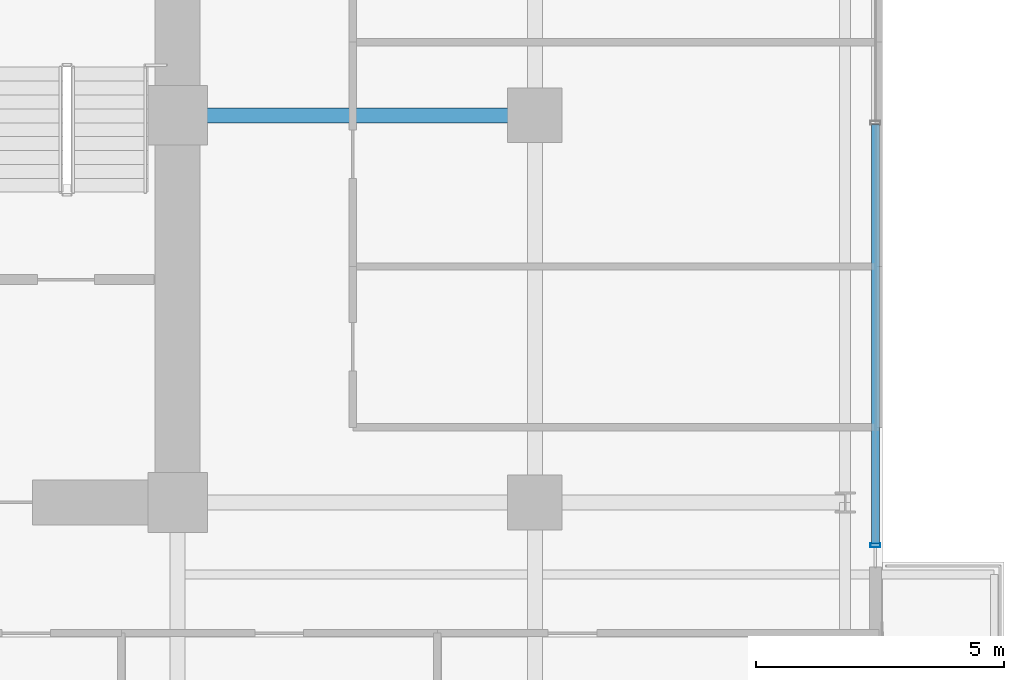
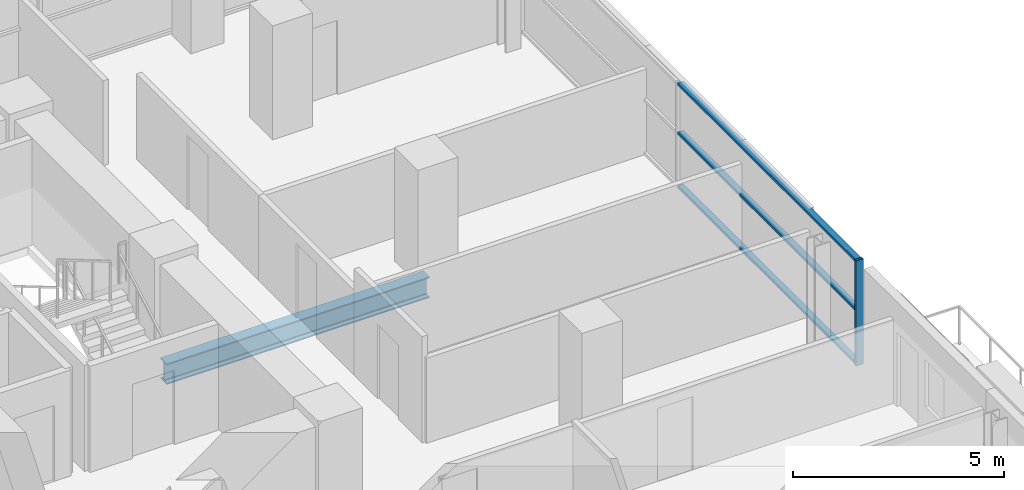
# One storey, part 14 of 30: 4 members, 1 beam, 1 element without a shape of its own.
"""IFC4 building model written with IfcOpenShell, lengths in metres."""

from ifc_helpers import new_model, si_unit, direction, frame, origin, origin_2d, place, context, subcontext, project, spatial, hollow_rectangle, i_section, extrude, source, transform, mapped, material, layer, layer_set, material_profile, profile_set, type_object, element, aggregate, save


model = new_model("IFC4")

# Units and contexts
model_context = context("Model", 3, precision=1e-05, world=origin(), true_north=direction((0.0, 1.0)))
body_context = subcontext(model_context, "Body", "Model", "MODEL_VIEW")
ifc_project = project(units=[si_unit("LENGTHUNIT", "METRE"), si_unit("AREAUNIT", "SQUARE_METRE"), si_unit("VOLUMEUNIT", "CUBIC_METRE"), si_unit("PLANEANGLEUNIT", "RADIAN"), si_unit("MASSUNIT", "GRAM", prefix="KILO")], contexts=[model_context])

# Site, building, storey
site_placement = place(None, origin())
site = spatial("IfcSite", under=ifc_project, at=site_placement, CompositionType="ELEMENT")
building_placement = place(site_placement, origin())
building = spatial("IfcBuilding", under=site, at=building_placement, Name="Zarnakvel Exchange Tower", CompositionType="ELEMENT")
storey_placement = place(building_placement, frame((0.0, 0.0, 43.89990234375)))
storey = spatial("IfcBuildingStorey", under=building, at=storey_placement, Name="L11", CompositionType="ELEMENT", Elevation=43.89990234375)

# Beam
ifc_material_1 = material(Name="Steel S355", Category="steel")
ifc_material_profile_1 = material_profile(ifc_material_1, i_section(OverallWidth=0.300048828125, OverallDepth=0.60009765625, WebThickness=0.015380859375, FlangeThickness=0.030029296875, FilletRadius=0.027099609375, at=origin_2d()))
ifc_profile_set_1 = profile_set([ifc_material_profile_1], Name="Steel S355")
beam_type = type_object("IfcBeamType", Name="G-04", PredefinedType="BEAM", material=ifc_profile_set_1)
beam_placement = place(storey_placement, frame((14.39990234375, 6.60009765625, -0.52490234375), z_axis=(1.0, 0.0, 0.0), x_axis=(0.0, 1.0, 0.0)))
element("IfcBeam", 1, at=beam_placement, inside=storey, type_object=beam_type, Name="L11 Tower E-W Frame Beam", PredefinedType="BEAM", context=body_context, shape_type="SweptSolid", body=[
    extrude(i_section(OverallWidth=0.300048828125, OverallDepth=0.60009765625, WebThickness=0.015380859375, FlangeThickness=0.030029296875, FilletRadius=0.027099609375, at=origin_2d()), origin(), (0.0, 0.0, 1.0), 7.2001953125),
])

# Curtain wall, members
ifc_material_2 = material(Name="Architectural Bronze Anodised Aluminium", Category="aluminium")
ifc_layer = layer(ifc_material_2, 0.199951171875)
ifc_layer_set = layer_set([ifc_layer], Name="Architectural Bronze Anodised Aluminium")
curtain_wall_type = type_object("IfcCurtainWallType", Name="CW-04", PredefinedType="NOTDEFINED", material=ifc_layer_set)
curtain_wall_placement = place(storey_placement, origin())
curtain_wall = element("IfcCurtainWall", 2, at=curtain_wall_placement, inside=storey, type_object=curtain_wall_type, Name="L11 Curtain Wall CW-L11-EN (CW-04)", PredefinedType="NOTDEFINED")
ifc_material_profile_2 = material_profile(ifc_material_2, hollow_rectangle(XDim=0.199951171875, YDim=0.074951171875, WallThickness=0.0048828125, at=origin_2d()))
ifc_profile_set_2 = profile_set([ifc_material_profile_2], Name="Architectural Bronze Anodised Aluminium")
member_type_1 = type_object("IfcMemberType", Name="CWM-04", PredefinedType="MULLION", material=ifc_profile_set_2)
shared_shape_1 = source(origin(), body_context, "Body", "SweptSolid", [
    extrude(hollow_rectangle(XDim=0.199951171875, YDim=0.074951171875, WallThickness=0.0048828125, at=origin_2d()), origin(), (0.0, 0.0, 1.0), 3.05517578125),
])
member_1_placement = place(storey_placement, frame((28.4599609375, -2.0625, 0.0), z_axis=(0.0, 0.0, 1.0), x_axis=(-1.0, 0.0, 0.0)))
member_1 = element("IfcMember", 3, at=member_1_placement, type_object=member_type_1, Name="CW-04 mullion 1", PredefinedType="MULLION", context=body_context, shape_type="MappedRepresentation", body=[
    mapped(shared_shape_1, transform((0.0, 0.0, 0.0), x_axis=(1.0, 0.0, 0.0), y_axis=(0.0, 1.0, 0.0), z_axis=(0.0, 0.0, 1.0), scale=1.0)),
])
ifc_material_profile_3 = material_profile(ifc_material_2, hollow_rectangle(XDim=0.159912109375, YDim=0.074951171875, WallThickness=0.00390625, at=origin_2d()))
ifc_profile_set_3 = profile_set([ifc_material_profile_3], Name="Architectural Bronze Anodised Aluminium")
member_type_2 = type_object("IfcMemberType", Name="CWT-04", PredefinedType="USERDEFINED", material=ifc_profile_set_3)
shared_shape_2 = source(origin(), body_context, "Body", "SweptSolid", [
    extrude(hollow_rectangle(XDim=0.159912109375, YDim=0.074951171875, WallThickness=0.00390625, at=origin_2d()), origin(), (0.0, 0.0, 1.0), 8.4375),
])
member_2_placement = place(storey_placement, frame((28.4599609375, -2.02490234375, 0.03759765625), z_axis=(0.0, 1.0, 0.0), x_axis=(-1.0, 0.0, 0.0)))
member_2 = element("IfcMember", 4, at=member_2_placement, type_object=member_type_2, Name="CW-04 transom 1.1", ObjectType="TRANSOM", PredefinedType="USERDEFINED", context=body_context, shape_type="MappedRepresentation", body=[
    mapped(shared_shape_2, transform((0.0, 0.0, 0.0), x_axis=(1.0, 0.0, 0.0), y_axis=(0.0, 1.0, 0.0), z_axis=(0.0, 0.0, 1.0), scale=1.0)),
])
member_3_placement = place(storey_placement, frame((28.4599609375, -2.02490234375, 1.588623046875), z_axis=(0.0, 1.0, 0.0), x_axis=(-1.0, 0.0, 0.0)))
member_3 = element("IfcMember", 5, at=member_3_placement, type_object=member_type_2, Name="CW-04 transom 1.2", ObjectType="TRANSOM", PredefinedType="USERDEFINED", context=body_context, shape_type="MappedRepresentation", body=[
    mapped(shared_shape_2, transform((0.0, 0.0, 0.0), x_axis=(1.0, 0.0, 0.0), y_axis=(0.0, 1.0, 0.0), z_axis=(0.0, 0.0, 1.0), scale=1.0)),
])
member_4_placement = place(storey_placement, frame((28.4599609375, -2.02490234375, 3.017578125), z_axis=(0.0, 1.0, 0.0), x_axis=(-1.0, 0.0, 0.0)))
member_4 = element("IfcMember", 6, at=member_4_placement, type_object=member_type_2, Name="CW-04 transom 1.3", ObjectType="TRANSOM", PredefinedType="USERDEFINED", context=body_context, shape_type="MappedRepresentation", body=[
    mapped(shared_shape_2, transform((0.0, 0.0, 0.0), x_axis=(1.0, 0.0, 0.0), y_axis=(0.0, 1.0, 0.0), z_axis=(0.0, 0.0, 1.0), scale=1.0)),
])
aggregate(curtain_wall, [member_1, member_2, member_3, member_4])

save(model, "model.ifc")
